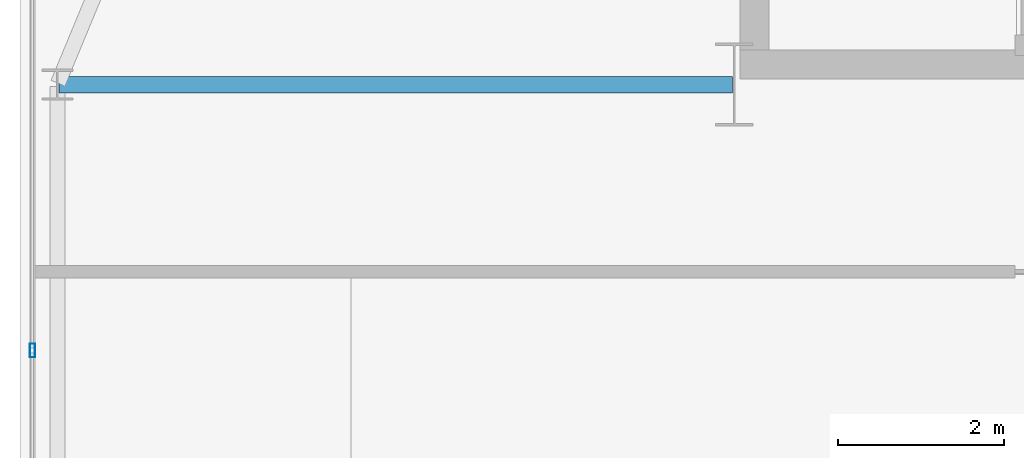
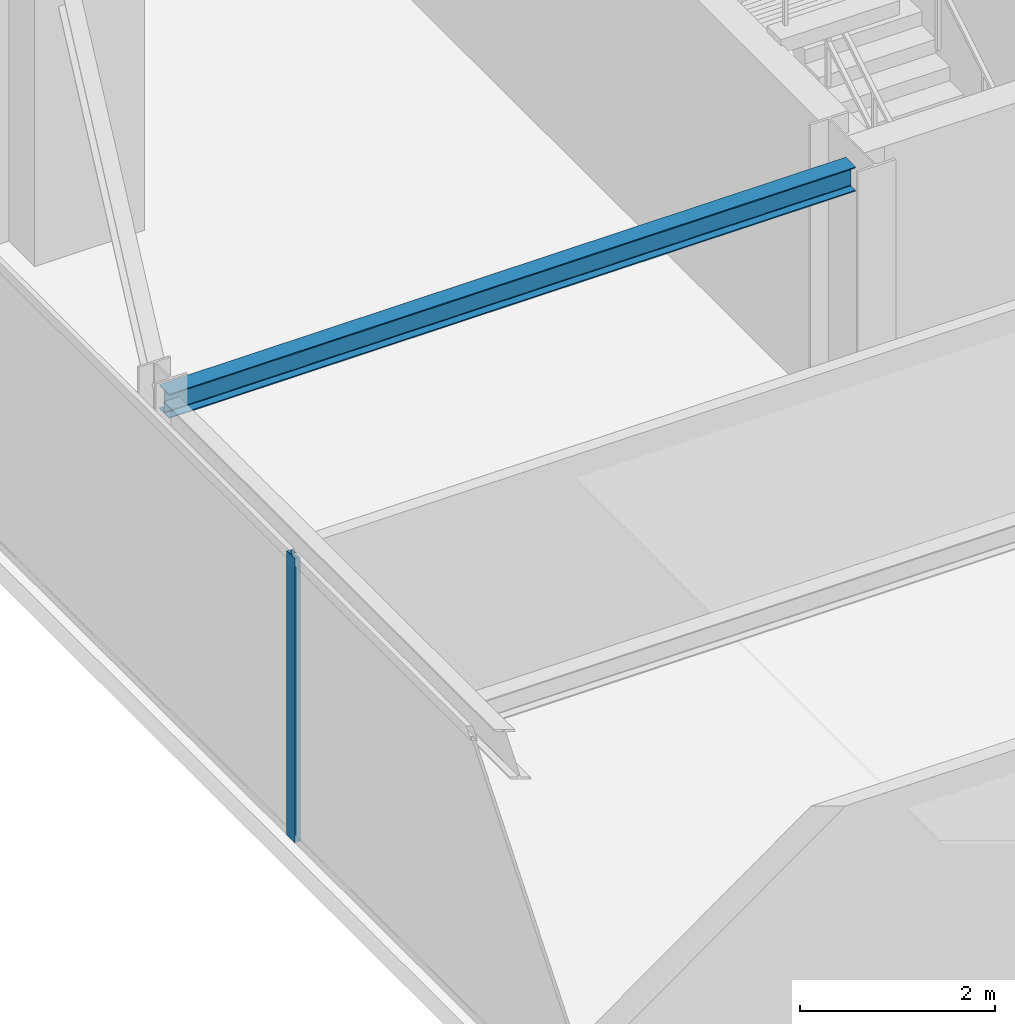
# One storey, part 12 of 32: 1 beam, 1 member, 1 element without a shape of its own.
"""IFC4 building model written with IfcOpenShell, lengths in metres."""

from ifc_helpers import new_model, si_unit, direction, frame, origin, origin_2d, place, context, subcontext, project, spatial, hollow_rectangle, i_section, extrude, source, transform, mapped, material, layer, layer_set, material_profile, profile_set, type_object, type_shapes, element, aggregate, save


model = new_model("IFC4")

# Units and contexts
model_context = context("Model", 3, precision=1e-05, world=origin(), true_north=direction((0.0, 1.0)))
body_context = subcontext(model_context, "Body", "Model", "MODEL_VIEW")
ifc_project = project(units=[si_unit("LENGTHUNIT", "METRE"), si_unit("AREAUNIT", "SQUARE_METRE"), si_unit("VOLUMEUNIT", "CUBIC_METRE"), si_unit("PLANEANGLEUNIT", "RADIAN"), si_unit("MASSUNIT", "GRAM", prefix="KILO")], contexts=[model_context])

# Site, building, storey
site_placement = place(None, origin())
site = spatial("IfcSite", under=ifc_project, at=site_placement, CompositionType="ELEMENT")
building_placement = place(site_placement, origin())
building = spatial("IfcBuilding", under=site, at=building_placement, Name="Varnel Quay Broadcast Tower", CompositionType="ELEMENT")
storey_placement = place(building_placement, frame((0.0, 0.0, 164.800048828125)))
storey = spatial("IfcBuildingStorey", under=building, at=storey_placement, Name="L40", CompositionType="ELEMENT", Elevation=164.800048828125)

# Beam
ifc_material_1 = material(Name="Structural Steel CSA G40.21 350W", Category="steel")
ifc_material_profile_1 = material_profile(ifc_material_1, i_section(OverallWidth=0.202880859375, OverallDepth=0.302978515625, WebThickness=0.007568359375, FlangeThickness=0.01318359375, FilletRadius=0.011962890625, at=origin_2d()), Name="W310X60")
ifc_profile_set_1 = profile_set([ifc_material_profile_1], Name="Structural Steel CSA G40.21 350W")
beam_type = type_object("IfcBeamType", Name="Beam_W310X60", PredefinedType="JOIST", material=ifc_profile_set_1)
shared_shape_1 = source(origin(), body_context, "Body", "SweptSolid", [
    extrude(i_section(OverallWidth=0.202880859375, OverallDepth=0.302978515625, WebThickness=0.007568359375, FlangeThickness=0.01318359375, FilletRadius=0.011962890625, at=origin_2d()), origin(), (0.0, 0.0, 1.0), 8.110107421875),
])
type_shapes(beam_type, [shared_shape_1])
beam_placement = place(storey_placement, frame((7.469970703125, 35.60009765625, 3.3984375), z_axis=(1.0, 0.0, 0.0), x_axis=(0.0, 1.0, 0.0)))
element("IfcBeam", 1, at=beam_placement, inside=storey, type_object=beam_type, Name="L40 West Core Tie Joist", PredefinedType="JOIST", context=body_context, shape_type="MappedRepresentation", body=[
    mapped(shared_shape_1, transform((0.0, 0.0, 0.0), x_axis=(1.0, 0.0, 0.0), y_axis=(0.0, 1.0, 0.0), z_axis=(0.0, 0.0, 1.0), scale=1.0)),
])

# Curtain wall, member
ifc_material_2 = material(Name="Anodised Bronze Aluminium 6063-T6", Category="aluminium")
ifc_layer = layer(ifc_material_2, 0.18994140625, Name="Anodised Bronze Aluminium 6063-T6")
ifc_layer_set = layer_set([ifc_layer], Name="Anodised Bronze Aluminium 6063-T6")
curtain_wall_type = type_object("IfcCurtainWallType", Name="CW_UpperTower", PredefinedType="NOTDEFINED", material=ifc_layer_set)
curtain_wall_placement = place(storey_placement, origin())
curtain_wall = element("IfcCurtainWall", 2, at=curtain_wall_placement, inside=storey, type_object=curtain_wall_type, Name="L40 West Unitised Curtain Wall", PredefinedType="NOTDEFINED")
ifc_material_profile_2 = material_profile(ifc_material_2, hollow_rectangle(XDim=0.06494140625, YDim=0.1650390625, WallThickness=0.00341796875, at=origin_2d()), Name="ALU65X165X3.5")
ifc_profile_set_2 = profile_set([ifc_material_profile_2], Name="Anodised Bronze Aluminium 6063-T6")
member_type = type_object("IfcMemberType", Name="Mull_CWS-03", PredefinedType="MULLION", material=ifc_profile_set_2)
shared_shape_2 = source(origin(), body_context, "Body", "SweptSolid", [
    extrude(hollow_rectangle(XDim=0.06494140625, YDim=0.1650390625, WallThickness=0.00341796875, at=origin_2d()), origin(), (0.0, 0.0, 1.0), 3.550048828125),
])
type_shapes(member_type, [shared_shape_2])
member_placement = place(storey_placement, frame((7.14990234375, 32.39990234375, 0.0), z_axis=(0.0, 0.0, 1.0), x_axis=(-1.0, 0.0, 0.0)))
member = element("IfcMember", 3, at=member_placement, type_object=member_type, Name="CWS-03 mullion 3", PredefinedType="MULLION", context=body_context, shape_type="MappedRepresentation", body=[
    mapped(shared_shape_2, transform((0.0, 0.0, 0.0), x_axis=(1.0, 0.0, 0.0), y_axis=(0.0, 1.0, 0.0), z_axis=(0.0, 0.0, 1.0), scale=1.0)),
])
aggregate(curtain_wall, [member])

save(model, "model.ifc")
